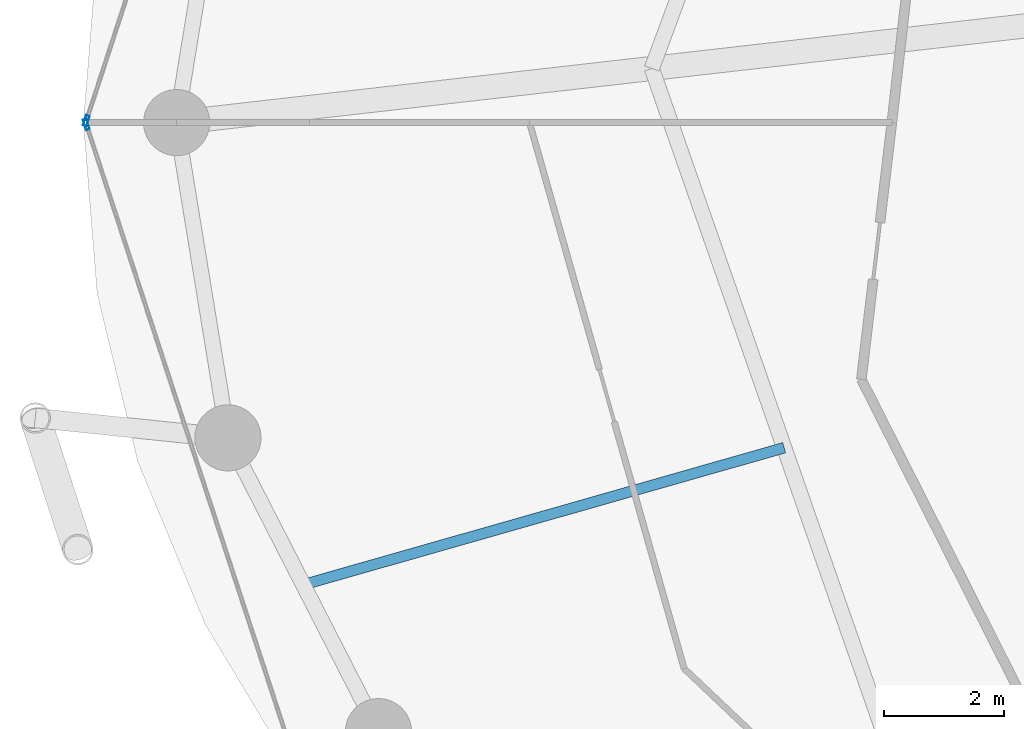
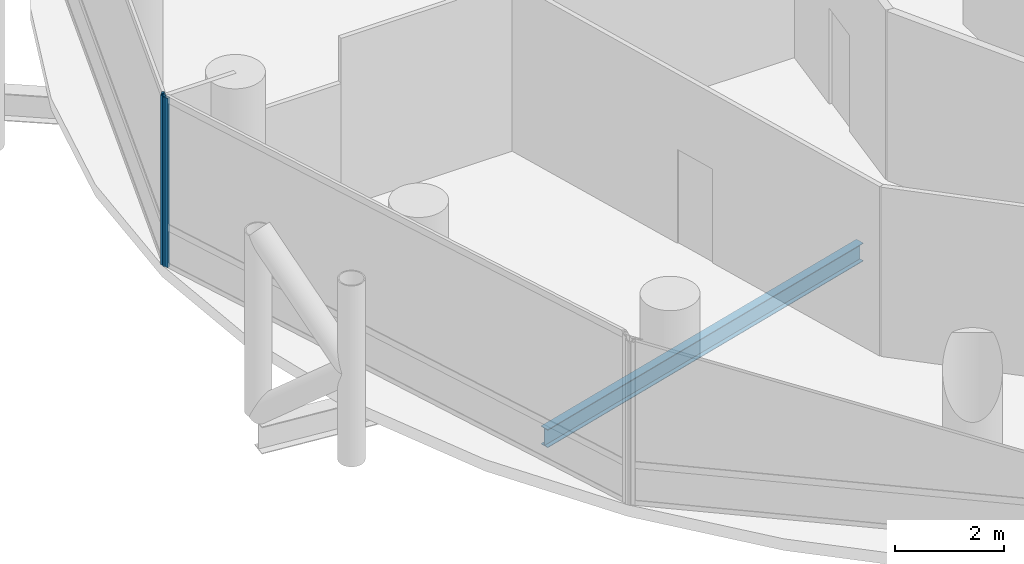
# One storey, part 6 of 24: 2 members, 1 beam, 2 elements without a shape of their own.
"""IFC4 building model written with IfcOpenShell, lengths in metres."""

from ifc_helpers import new_model, si_unit, direction, frame, origin, origin_2d, place, context, subcontext, project, spatial, hollow_rectangle, i_section, extrude, material, layer, layer_set, material_profile, profile_set, type_object, element, aggregate, save


model = new_model("IFC4")

# Units and contexts
model_context = context("Model", 3, precision=1e-05, world=origin(), true_north=direction((0.0, 1.0)))
body_context = subcontext(model_context, "Body", "Model", "MODEL_VIEW")
ifc_project = project(units=[si_unit("LENGTHUNIT", "METRE"), si_unit("AREAUNIT", "SQUARE_METRE"), si_unit("VOLUMEUNIT", "CUBIC_METRE"), si_unit("PLANEANGLEUNIT", "RADIAN"), si_unit("MASSUNIT", "GRAM", prefix="KILO")], contexts=[model_context])

# Site, building, storey
site_placement = place(None, origin())
site = spatial("IfcSite", under=ifc_project, at=site_placement, CompositionType="ELEMENT")
building_placement = place(site_placement, origin())
building = spatial("IfcBuilding", under=site, at=building_placement, Name="Nuhasar Tower", CompositionType="ELEMENT")
storey_placement = place(building_placement, frame((0.0, 0.0, 37.199951171875)))
storey = spatial("IfcBuildingStorey", under=building, at=storey_placement, Name="L08", CompositionType="ELEMENT", Elevation=37.199951171875)

# Beam
ifc_material_1 = material(Name="Steel S355", Category="steel")
ifc_material_profile_1 = material_profile(ifc_material_1, i_section(OverallWidth=0.177978515625, OverallDepth=0.406005859375, WebThickness=0.0078125, FlangeThickness=0.0126953125, at=origin_2d()), Name="W16X40")
ifc_profile_set_1 = profile_set([ifc_material_profile_1], Name="Steel S355")
beam_type = type_object("IfcBeamType", Name="BM-JST-W16X40", PredefinedType="JOIST", material=ifc_profile_set_1)
beam_placement = place(storey_placement, frame((24.051025390625, 21.39501953125, -0.462890625), z_axis=(-0.961730884496, -0.273995813484, 0.0), x_axis=(0.273995813484, -0.961730884496, 0.0)))
element("IfcBeam", 1, at=beam_placement, inside=storey, type_object=beam_type, Name="L08 Secondary Floor Joist 08", PredefinedType="JOIST", context=body_context, shape_type="SweptSolid", body=[
    extrude(i_section(OverallWidth=0.177978515625, OverallDepth=0.406005859375, WebThickness=0.0078125, FlangeThickness=0.0126953125, at=origin_2d()), origin(), (0.0, 0.0, 1.0), 8.314208984375),
])

# Curtain wall, member
ifc_material_2 = material(Name="Aluminium 6063-T6", Category="aluminium")
ifc_layer = layer(ifc_material_2, 0.199951171875)
ifc_layer_set = layer_set([ifc_layer], Name="Aluminium 6063-T6")
curtain_wall_type = type_object("IfcCurtainWallType", Name="CW-Z1-OFF", PredefinedType="NOTDEFINED", material=ifc_layer_set)
curtain_wall_1_placement = place(storey_placement, origin())
curtain_wall_1 = element("IfcCurtainWall", 2, at=curtain_wall_1_placement, inside=storey, type_object=curtain_wall_type, Name="L08 Unitised Curtain Wall 06", PredefinedType="NOTDEFINED")
ifc_material_profile_2 = material_profile(ifc_material_2, hollow_rectangle(XDim=0.06494140625, YDim=0.179931640625, WallThickness=0.0048828125, at=origin_2d()), Name="CWM-2")
ifc_profile_set_2 = profile_set([ifc_material_profile_2], Name="Aluminium 6063-T6")
member_type = type_object("IfcMemberType", Name="CW-MUL-S2", PredefinedType="MULLION", material=ifc_profile_set_2)
member_1_placement = place(storey_placement, frame((12.4501953125, 26.830810546875, 0.0), z_axis=(0.0, 0.0, 1.0), x_axis=(0.950467534571, -0.310823849997, 0.0)))
member_1 = element("IfcMember", 3, at=member_1_placement, type_object=member_type, Name="CW-Z1 mullion 2", PredefinedType="MULLION", context=body_context, shape_type="SweptSolid", body=[
    extrude(hollow_rectangle(XDim=0.06494140625, YDim=0.179931640625, WallThickness=0.0048828125, at=origin_2d()), origin(), (0.0, 0.0, 1.0), 3.7900390625),
])
aggregate(curtain_wall_1, [member_1])

curtain_wall_2_placement = place(storey_placement, origin())
curtain_wall_2 = element("IfcCurtainWall", 4, at=curtain_wall_2_placement, inside=storey, type_object=curtain_wall_type, Name="L08 Unitised Curtain Wall 07", PredefinedType="NOTDEFINED")
member_2_placement = place(storey_placement, frame((12.4501953125, 26.76904296875, 0.0), z_axis=(0.0, 0.0, 1.0), x_axis=(0.950467534571, 0.310823849997, 0.0)))
member_2 = element("IfcMember", 5, at=member_2_placement, type_object=member_type, Name="CW-Z1 mullion 1", PredefinedType="MULLION", context=body_context, shape_type="SweptSolid", body=[
    extrude(hollow_rectangle(XDim=0.06494140625, YDim=0.179931640625, WallThickness=0.0048828125, at=origin_2d()), origin(), (0.0, 0.0, 1.0), 3.7900390625),
])
aggregate(curtain_wall_2, [member_2])

save(model, "model.ifc")
